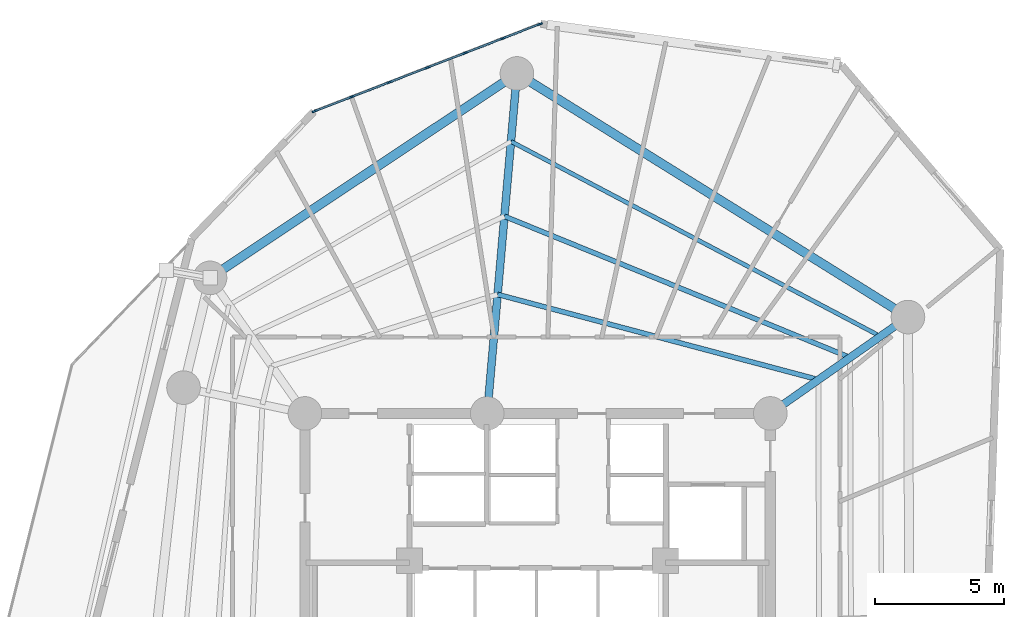
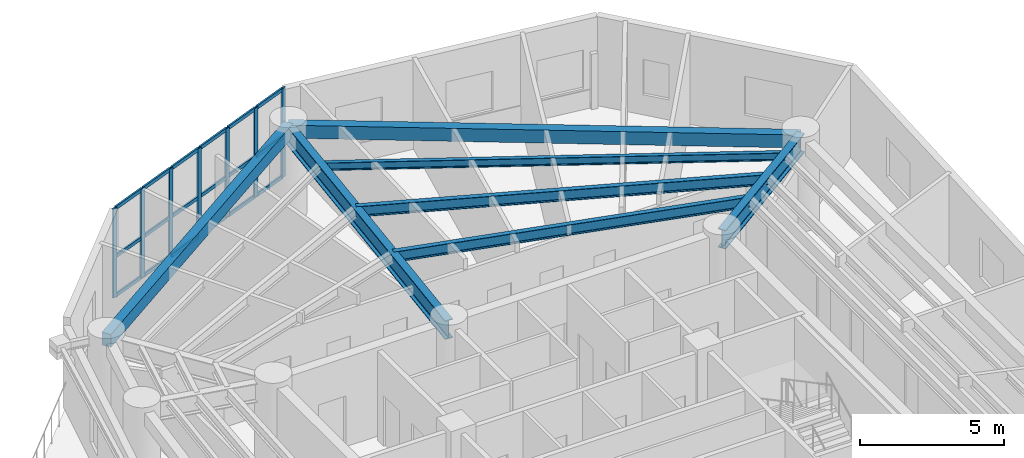
# One storey, part 5 of 14: 25 members, 7 beams, 1 element without a shape of its own.
"""IFC4 building model written with IfcOpenShell, lengths in metres."""

from ifc_helpers import new_model, si_unit, direction, frame, origin, origin_with_axes, origin_2d, place, context, subcontext, project, spatial, rectangle, i_section, extrude, source, transform, mapped, material, layer, layer_set, material_profile, profile_set, type_object, element, aggregate, save


model = new_model("IFC4")

# Units and contexts
model_context = context("Model", 3, precision=1e-05, world=origin(), true_north=direction((0.0, 1.0)))
body_context = subcontext(model_context, "Body", "Model", "MODEL_VIEW")
ifc_project = project(units=[si_unit("LENGTHUNIT", "METRE"), si_unit("AREAUNIT", "SQUARE_METRE"), si_unit("VOLUMEUNIT", "CUBIC_METRE"), si_unit("PLANEANGLEUNIT", "RADIAN"), si_unit("MASSUNIT", "GRAM", prefix="KILO")], contexts=[model_context])

# Site, building, storey
site_placement = place(None, origin())
site = spatial("IfcSite", under=ifc_project, at=site_placement, CompositionType="ELEMENT")
building_placement = place(site_placement, origin())
building = spatial("IfcBuilding", under=site, at=building_placement, Name="Karkom Vertical University and Central Library", CompositionType="ELEMENT")
storey_placement = place(building_placement, frame((0.0, 0.0, 152.550048828125)))
storey = spatial("IfcBuildingStorey", under=building, at=storey_placement, Name="L43", CompositionType="ELEMENT", Elevation=152.550048828125)

# Beams
ifc_material_1 = material(Name="Steel S355", Category="steel")
ifc_material_profile_1 = material_profile(ifc_material_1, i_section(OverallWidth=0.300048828125, OverallDepth=0.800048828125, WebThickness=0.017578125, FlangeThickness=0.032958984375, FilletRadius=0.030029296875, at=origin_2d()), Name="HE 800 B")
ifc_profile_set_1 = profile_set([ifc_material_profile_1], Name="Steel S355")
beam_type_1 = type_object("IfcBeamType", Name="STR-BM-SB-HE800", PredefinedType="USERDEFINED", material=ifc_profile_set_1)
shared_shape_1 = source(origin_with_axes(), body_context, "Body", "SweptSolid", [
    extrude(i_section(OverallWidth=0.300048828125, OverallDepth=0.800048828125, WebThickness=0.017578125, FlangeThickness=0.032958984375, FilletRadius=0.030029296875, at=origin_2d()), origin(), (0.0, 0.0, 1.0), 6.49951171875),
])
beam_1_placement = place(storey_placement, frame((37.5, 34.699951171875, 3.375), z_axis=(0.819141909878, 0.573590909517, 0.0), x_axis=(-0.573590909517, 0.819141909878, 0.0)))
element("IfcBeam", 1, at=beam_1_placement, inside=storey, type_object=beam_type_1, Name="Level 43 Radial Frame Girder 02", ObjectType="GIRDER", PredefinedType="USERDEFINED", context=body_context, shape_type="MappedRepresentation", body=[
    mapped(shared_shape_1, transform((0.0, 0.0, 0.0), scale=1.0)),
])
shared_shape_2 = source(origin_with_axes(), body_context, "Body", "SweptSolid", [
    extrude(i_section(OverallWidth=0.300048828125, OverallDepth=0.800048828125, WebThickness=0.017578125, FlangeThickness=0.032958984375, FilletRadius=0.030029296875, at=origin_2d()), origin(), (0.0, 0.0, 1.0), 13.200439453125),
])
beam_2_placement = place(storey_placement, frame((26.550048828125, 34.699951171875, 3.375), z_axis=(0.087111657164, 0.996198554098, 0.0), x_axis=(-0.996198554098, 0.087111657164, 0.0)))
element("IfcBeam", 2, at=beam_2_placement, inside=storey, type_object=beam_type_1, Name="Level 43 Radial Frame Girder 03", ObjectType="GIRDER", PredefinedType="USERDEFINED", context=body_context, shape_type="MappedRepresentation", body=[
    mapped(shared_shape_2, transform((0.0, 0.0, 0.0), scale=1.0)),
])
ifc_material_2 = material(Name="Precast concrete C45/55", Category="concrete")
ifc_material_profile_2 = material_profile(ifc_material_2, rectangle(XDim=0.35009765625, YDim=0.550048828125, at=origin_2d()), Name="SPB-350x550")
ifc_profile_set_2 = profile_set([ifc_material_profile_2], Name="Precast concrete C45/55")
beam_type_2 = type_object("IfcBeamType", Name="STR-BM-SP-2", PredefinedType="SPANDREL", material=ifc_profile_set_2)
shared_shape_3 = source(origin_with_axes(), body_context, "Body", "SweptSolid", [
    extrude(rectangle(XDim=0.35009765625, YDim=0.550048828125, at=origin_2d()), origin(), (0.0, 0.0, 1.0), 17.81884765625),
])
beam_3_placement = place(storey_placement, frame((42.823974609375, 38.427978515625, 3.5), z_axis=(-0.848764070164, 0.528771740167, 0.0), x_axis=(-0.528771740167, -0.848764070164, 0.0)))
element("IfcBeam", 3, at=beam_3_placement, inside=storey, type_object=beam_type_2, Name="Level 43 Perimeter Spandrel Beam 02", PredefinedType="SPANDREL", context=body_context, shape_type="MappedRepresentation", body=[
    mapped(shared_shape_3, transform((0.0, 0.0, 0.0), scale=1.0)),
])
shared_shape_4 = source(origin_with_axes(), body_context, "Body", "SweptSolid", [
    extrude(rectangle(XDim=0.35009765625, YDim=0.550048828125, at=origin_2d()), origin(), (0.0, 0.0, 1.0), 14.26318359375),
])
beam_4_placement = place(storey_placement, frame((27.699951171875, 47.85009765625, 3.5), z_axis=(-0.83227406272, -0.554364396876, 0.0), x_axis=(0.554364396876, -0.83227406272, 0.0)))
element("IfcBeam", 4, at=beam_4_placement, inside=storey, type_object=beam_type_2, Name="Level 43 Perimeter Spandrel Beam 03", PredefinedType="SPANDREL", context=body_context, shape_type="MappedRepresentation", body=[
    mapped(shared_shape_4, transform((0.0, 0.0, 0.0), scale=1.0)),
])
ifc_material_profile_3 = material_profile(ifc_material_1, i_section(OverallWidth=0.18994140625, OverallDepth=0.449951171875, WebThickness=0.009521484375, FlangeThickness=0.0146484375, FilletRadius=0.02099609375, at=origin_2d()), Name="IPE 450")
ifc_profile_set_3 = profile_set([ifc_material_profile_3], Name="Steel S355")
beam_type_3 = type_object("IfcBeamType", Name="STR-BM-SB-IPE450", PredefinedType="BEAM", material=ifc_profile_set_3)
shared_shape_5 = source(origin_with_axes(), body_context, "Body", "SweptSolid", [
    extrude(i_section(OverallWidth=0.18994140625, OverallDepth=0.449951171875, WebThickness=0.009521484375, FlangeThickness=0.0146484375, FilletRadius=0.02099609375, at=origin_2d()), origin(), (0.0, 0.0, 1.0), 12.841552734375),
])
beam_5_placement = place(storey_placement, frame((39.36328125, 36.0048828125, 3.550048828125), z_axis=(-0.96646647674, 0.256792814032, 0.0), x_axis=(-0.256792814032, -0.96646647674, 0.0)))
element("IfcBeam", 5, at=beam_5_placement, inside=storey, type_object=beam_type_3, Name="Level 43 Secondary Composite Floor Beam 1.02", PredefinedType="BEAM", context=body_context, shape_type="MappedRepresentation", body=[
    mapped(shared_shape_5, transform((0.0, 0.0, 0.0), scale=1.0)),
])
shared_shape_6 = source(origin_with_axes(), body_context, "Body", "SweptSolid", [
    extrude(i_section(OverallWidth=0.18994140625, OverallDepth=0.449951171875, WebThickness=0.009521484375, FlangeThickness=0.0146484375, FilletRadius=0.02099609375, at=origin_2d()), origin(), (0.0, 0.0, 1.0), 14.4443359375),
])
beam_6_placement = place(storey_placement, frame((40.587890625, 36.8623046875, 3.550048828125), z_axis=(-0.925675328736, 0.378318894281, 0.0), x_axis=(-0.378318894281, -0.925675328736, 0.0)))
element("IfcBeam", 6, at=beam_6_placement, inside=storey, type_object=beam_type_3, Name="Level 43 Secondary Composite Floor Beam 2.02", PredefinedType="BEAM", context=body_context, shape_type="MappedRepresentation", body=[
    mapped(shared_shape_6, transform((0.0, 0.0, 0.0), scale=1.0)),
])
ifc_material_profile_4 = material_profile(ifc_material_1, i_section(OverallWidth=0.159912109375, OverallDepth=0.330078125, WebThickness=0.007568359375, FlangeThickness=0.011474609375, FilletRadius=0.01806640625, at=origin_2d()), Name="IPE 330")
ifc_profile_set_4 = profile_set([ifc_material_profile_4], Name="Steel S355")
beam_type_4 = type_object("IfcBeamType", Name="STR-BM-SB-IPE330", PredefinedType="BEAM", material=ifc_profile_set_4)
shared_shape_7 = source(origin_with_axes(), body_context, "Body", "SweptSolid", [
    extrude(i_section(OverallWidth=0.159912109375, OverallDepth=0.330078125, WebThickness=0.007568359375, FlangeThickness=0.011474609375, FilletRadius=0.01806640625, at=origin_2d()), origin(), (0.0, 0.0, 1.0), 16.155517578125),
])
beam_7_placement = place(storey_placement, frame((41.75927734375, 37.682373046875, 3.60986328125), z_axis=(-0.884486447848, 0.466565883423, 0.0), x_axis=(-0.466565883423, -0.884486447848, 0.0)))
element("IfcBeam", 7, at=beam_7_placement, inside=storey, type_object=beam_type_4, Name="Level 43 Secondary Composite Floor Beam 3.02", PredefinedType="BEAM", context=body_context, shape_type="MappedRepresentation", body=[
    mapped(shared_shape_7, transform((0.0, 0.0, 0.0), scale=1.0)),
])

# Curtain wall, members
ifc_material_3 = material(Name="Aluminium curtain-wall framing and low-E IGU", Category="aluminium")
ifc_layer = layer(ifc_material_3, 0.199951171875)
ifc_layer_set = layer_set([ifc_layer], Name="Aluminium curtain-wall framing and low-E IGU")
curtain_wall_type = type_object("IfcCurtainWallType", Name="ENV-CW-5", PredefinedType="USERDEFINED", material=ifc_layer_set)
curtain_wall_placement = place(storey_placement, origin())
curtain_wall = element("IfcCurtainWall", 8, at=curtain_wall_placement, inside=storey, type_object=curtain_wall_type, Name="Level 43 CW-5 Curtain Wall L43-CW5-10", ObjectType="UNITISED GLAZING", PredefinedType="USERDEFINED")
ifc_material_4 = material(Name="Anodised Aluminium 6063-T6", Category="aluminium")
ifc_material_profile_5 = material_profile(ifc_material_4, rectangle(XDim=0.070068359375, YDim=0.199951171875, at=origin_2d()), Name="ALU-M70x200")
ifc_profile_set_5 = profile_set([ifc_material_profile_5], Name="Anodised Aluminium 6063-T6")
member_type_1 = type_object("IfcMemberType", Name="ENV-MEM-ALU-M70x200", PredefinedType="MULLION", material=ifc_profile_set_5)
shared_shape_8 = source(origin_with_axes(), body_context, "Body", "SweptSolid", [
    extrude(rectangle(XDim=0.070068359375, YDim=0.199951171875, at=origin_2d()), origin(), (0.0, 0.0, 1.0), 3.77490234375),
])
member_1_placement = place(storey_placement, frame((28.588623046875, 49.76025390625, 0.0), z_axis=(0.0, 0.0, 1.0), x_axis=(0.360797647829, -0.932644121475, 0.0)))
member_1 = element("IfcMember", 9, at=member_1_placement, type_object=member_type_1, Name="CW-5 mullion 1", PredefinedType="MULLION", context=body_context, shape_type="MappedRepresentation", body=[
    mapped(shared_shape_8, transform((0.0, 0.0, 0.0), scale=1.0)),
])
member_2_placement = place(storey_placement, frame((27.158447265625, 49.206787109375, 0.0), z_axis=(0.0, 0.0, 1.0), x_axis=(0.360797647829, -0.932644121475, 0.0)))
member_2 = element("IfcMember", 10, at=member_2_placement, type_object=member_type_1, Name="CW-5 mullion 2", PredefinedType="MULLION", context=body_context, shape_type="MappedRepresentation", body=[
    mapped(shared_shape_8, transform((0.0, 0.0, 0.0), scale=1.0)),
])
member_3_placement = place(storey_placement, frame((25.695556640625, 48.640869140625, 0.0), z_axis=(0.0, 0.0, 1.0), x_axis=(0.360797647829, -0.932644121475, 0.0)))
member_3 = element("IfcMember", 11, at=member_3_placement, type_object=member_type_1, Name="CW-5 mullion 3", PredefinedType="MULLION", context=body_context, shape_type="MappedRepresentation", body=[
    mapped(shared_shape_8, transform((0.0, 0.0, 0.0), scale=1.0)),
])
member_4_placement = place(storey_placement, frame((24.232666015625, 48.074951171875, 0.0), z_axis=(0.0, 0.0, 1.0), x_axis=(0.360797647829, -0.932644121475, 0.0)))
member_4 = element("IfcMember", 12, at=member_4_placement, type_object=member_type_1, Name="CW-5 mullion 4", PredefinedType="MULLION", context=body_context, shape_type="MappedRepresentation", body=[
    mapped(shared_shape_8, transform((0.0, 0.0, 0.0), scale=1.0)),
])
member_5_placement = place(storey_placement, frame((22.769775390625, 47.509033203125, 0.0), z_axis=(0.0, 0.0, 1.0), x_axis=(0.360797647829, -0.932644121475, 0.0)))
member_5 = element("IfcMember", 13, at=member_5_placement, type_object=member_type_1, Name="CW-5 mullion 5", PredefinedType="MULLION", context=body_context, shape_type="MappedRepresentation", body=[
    mapped(shared_shape_8, transform((0.0, 0.0, 0.0), scale=1.0)),
])
member_6_placement = place(storey_placement, frame((21.306884765625, 46.943115234375, 0.0), z_axis=(0.0, 0.0, 1.0), x_axis=(0.360797647829, -0.932644121475, 0.0)))
member_6 = element("IfcMember", 14, at=member_6_placement, type_object=member_type_1, Name="CW-5 mullion 6", PredefinedType="MULLION", context=body_context, shape_type="MappedRepresentation", body=[
    mapped(shared_shape_8, transform((0.0, 0.0, 0.0), scale=1.0)),
])
member_7_placement = place(storey_placement, frame((19.876708984375, 46.389892578125, 0.0), z_axis=(0.0, 0.0, 1.0), x_axis=(0.360797647829, -0.932644121475, 0.0)))
member_7 = element("IfcMember", 15, at=member_7_placement, type_object=member_type_1, Name="CW-5 mullion 7", PredefinedType="MULLION", context=body_context, shape_type="MappedRepresentation", body=[
    mapped(shared_shape_8, transform((0.0, 0.0, 0.0), scale=1.0)),
])
ifc_material_profile_6 = material_profile(ifc_material_4, rectangle(XDim=0.070068359375, YDim=0.14990234375, at=origin_2d()), Name="ALU-T70x150")
ifc_profile_set_6 = profile_set([ifc_material_profile_6], Name="Anodised Aluminium 6063-T6")
member_type_2 = type_object("IfcMemberType", Name="ENV-MEM-ALU-T70x150", PredefinedType="USERDEFINED", material=ifc_profile_set_6)
shared_shape_9 = source(origin_with_axes(), body_context, "Body", "SweptSolid", [
    extrude(rectangle(XDim=0.070068359375, YDim=0.14990234375, at=origin_2d()), origin(), (0.0, 0.0, 1.0), 1.49853515625),
])
member_8_placement = place(storey_placement, frame((27.125732421875, 49.1943359375, 0.034912109375), z_axis=(-0.932608787876, -0.360888970151, 0.0), x_axis=(0.360888970151, -0.932608787876, 0.0)))
member_8 = element("IfcMember", 16, at=member_8_placement, type_object=member_type_2, Name="CW-5 transom 2.1", ObjectType="TRANSOM", PredefinedType="USERDEFINED", context=body_context, shape_type="MappedRepresentation", body=[
    mapped(shared_shape_9, transform((0.0, 0.0, 0.0), scale=1.0)),
])
member_9_placement = place(storey_placement, frame((27.125732421875, 49.1943359375, 1.69873046875), z_axis=(-0.932608787876, -0.360888970151, 0.0), x_axis=(0.360888970151, -0.932608787876, 0.0)))
member_9 = element("IfcMember", 17, at=member_9_placement, type_object=member_type_2, Name="CW-5 transom 2.2", ObjectType="TRANSOM", PredefinedType="USERDEFINED", context=body_context, shape_type="MappedRepresentation", body=[
    mapped(shared_shape_9, transform((0.0, 0.0, 0.0), scale=1.0)),
])
member_10_placement = place(storey_placement, frame((27.125732421875, 49.1943359375, 3.739990234375), z_axis=(-0.932608787876, -0.360888970151, 0.0), x_axis=(0.360888970151, -0.932608787876, 0.0)))
member_10 = element("IfcMember", 18, at=member_10_placement, type_object=member_type_2, Name="CW-5 transom 2.3", ObjectType="TRANSOM", PredefinedType="USERDEFINED", context=body_context, shape_type="MappedRepresentation", body=[
    mapped(shared_shape_9, transform((0.0, 0.0, 0.0), scale=1.0)),
])
member_11_placement = place(storey_placement, frame((25.662841796875, 48.62841796875, 0.034912109375), z_axis=(-0.932608787876, -0.360888970151, 0.0), x_axis=(0.360888970151, -0.932608787876, 0.0)))
member_11 = element("IfcMember", 19, at=member_11_placement, type_object=member_type_2, Name="CW-5 transom 3.1", ObjectType="TRANSOM", PredefinedType="USERDEFINED", context=body_context, shape_type="MappedRepresentation", body=[
    mapped(shared_shape_9, transform((0.0, 0.0, 0.0), scale=1.0)),
])
member_12_placement = place(storey_placement, frame((25.662841796875, 48.62841796875, 1.69873046875), z_axis=(-0.932608787876, -0.360888970151, 0.0), x_axis=(0.360888970151, -0.932608787876, 0.0)))
member_12 = element("IfcMember", 20, at=member_12_placement, type_object=member_type_2, Name="CW-5 transom 3.2", ObjectType="TRANSOM", PredefinedType="USERDEFINED", context=body_context, shape_type="MappedRepresentation", body=[
    mapped(shared_shape_9, transform((0.0, 0.0, 0.0), scale=1.0)),
])
member_13_placement = place(storey_placement, frame((25.662841796875, 48.62841796875, 3.739990234375), z_axis=(-0.932608787876, -0.360888970151, 0.0), x_axis=(0.360888970151, -0.932608787876, 0.0)))
member_13 = element("IfcMember", 21, at=member_13_placement, type_object=member_type_2, Name="CW-5 transom 3.3", ObjectType="TRANSOM", PredefinedType="USERDEFINED", context=body_context, shape_type="MappedRepresentation", body=[
    mapped(shared_shape_9, transform((0.0, 0.0, 0.0), scale=1.0)),
])
member_14_placement = place(storey_placement, frame((24.199951171875, 48.0625, 0.034912109375), z_axis=(-0.932608787876, -0.360888970151, 0.0), x_axis=(0.360888970151, -0.932608787876, 0.0)))
member_14 = element("IfcMember", 22, at=member_14_placement, type_object=member_type_2, Name="CW-5 transom 4.1", ObjectType="TRANSOM", PredefinedType="USERDEFINED", context=body_context, shape_type="MappedRepresentation", body=[
    mapped(shared_shape_9, transform((0.0, 0.0, 0.0), scale=1.0)),
])
member_15_placement = place(storey_placement, frame((24.199951171875, 48.0625, 1.69873046875), z_axis=(-0.932608787876, -0.360888970151, 0.0), x_axis=(0.360888970151, -0.932608787876, 0.0)))
member_15 = element("IfcMember", 23, at=member_15_placement, type_object=member_type_2, Name="CW-5 transom 4.2", ObjectType="TRANSOM", PredefinedType="USERDEFINED", context=body_context, shape_type="MappedRepresentation", body=[
    mapped(shared_shape_9, transform((0.0, 0.0, 0.0), scale=1.0)),
])
member_16_placement = place(storey_placement, frame((24.199951171875, 48.0625, 3.739990234375), z_axis=(-0.932608787876, -0.360888970151, 0.0), x_axis=(0.360888970151, -0.932608787876, 0.0)))
member_16 = element("IfcMember", 24, at=member_16_placement, type_object=member_type_2, Name="CW-5 transom 4.3", ObjectType="TRANSOM", PredefinedType="USERDEFINED", context=body_context, shape_type="MappedRepresentation", body=[
    mapped(shared_shape_9, transform((0.0, 0.0, 0.0), scale=1.0)),
])
shared_shape_10 = source(origin_with_axes(), body_context, "Body", "SweptSolid", [
    extrude(rectangle(XDim=0.070068359375, YDim=0.14990234375, at=origin_2d()), origin(), (0.0, 0.0, 1.0), 1.463623046875),
])
member_17_placement = place(storey_placement, frame((21.2744140625, 46.9306640625, 0.034912109375), z_axis=(-0.93263872966, -0.360811585093, 0.0), x_axis=(0.360811585093, -0.93263872966, 0.0)))
member_17 = element("IfcMember", 25, at=member_17_placement, type_object=member_type_2, Name="CW-5 transom 6.1", ObjectType="TRANSOM", PredefinedType="USERDEFINED", context=body_context, shape_type="MappedRepresentation", body=[
    mapped(shared_shape_10, transform((0.0, 0.0, 0.0), scale=1.0)),
])
member_18_placement = place(storey_placement, frame((21.2744140625, 46.9306640625, 1.69873046875), z_axis=(-0.93263872966, -0.360811585093, 0.0), x_axis=(0.360811585093, -0.93263872966, 0.0)))
member_18 = element("IfcMember", 26, at=member_18_placement, type_object=member_type_2, Name="CW-5 transom 6.2", ObjectType="TRANSOM", PredefinedType="USERDEFINED", context=body_context, shape_type="MappedRepresentation", body=[
    mapped(shared_shape_10, transform((0.0, 0.0, 0.0), scale=1.0)),
])
member_19_placement = place(storey_placement, frame((21.2744140625, 46.9306640625, 3.739990234375), z_axis=(-0.93263872966, -0.360811585093, 0.0), x_axis=(0.360811585093, -0.93263872966, 0.0)))
member_19 = element("IfcMember", 27, at=member_19_placement, type_object=member_type_2, Name="CW-5 transom 6.3", ObjectType="TRANSOM", PredefinedType="USERDEFINED", context=body_context, shape_type="MappedRepresentation", body=[
    mapped(shared_shape_10, transform((0.0, 0.0, 0.0), scale=1.0)),
])
shared_shape_11 = source(origin_with_axes(), body_context, "Body", "SweptSolid", [
    extrude(rectangle(XDim=0.070068359375, YDim=0.14990234375, at=origin_2d()), origin(), (0.0, 0.0, 1.0), 1.46337890625),
])
member_20_placement = place(storey_placement, frame((28.555908203125, 49.74755859375, 0.034912109375), z_axis=(-0.932617008338, -0.360867726124, 0.0), x_axis=(0.360867726124, -0.932617008338, 0.0)))
member_20 = element("IfcMember", 28, at=member_20_placement, type_object=member_type_2, Name="CW-5 transom 1.1", ObjectType="TRANSOM", PredefinedType="USERDEFINED", context=body_context, shape_type="MappedRepresentation", body=[
    mapped(shared_shape_11, transform((0.0, 0.0, 0.0), scale=1.0)),
])
member_21_placement = place(storey_placement, frame((28.555908203125, 49.74755859375, 1.69873046875), z_axis=(-0.932617008338, -0.360867726124, 0.0), x_axis=(0.360867726124, -0.932617008338, 0.0)))
member_21 = element("IfcMember", 29, at=member_21_placement, type_object=member_type_2, Name="CW-5 transom 1.2", ObjectType="TRANSOM", PredefinedType="USERDEFINED", context=body_context, shape_type="MappedRepresentation", body=[
    mapped(shared_shape_11, transform((0.0, 0.0, 0.0), scale=1.0)),
])
member_22_placement = place(storey_placement, frame((28.555908203125, 49.74755859375, 3.739990234375), z_axis=(-0.932617008338, -0.360867726124, 0.0), x_axis=(0.360867726124, -0.932617008338, 0.0)))
member_22 = element("IfcMember", 30, at=member_22_placement, type_object=member_type_2, Name="CW-5 transom 1.3", ObjectType="TRANSOM", PredefinedType="USERDEFINED", context=body_context, shape_type="MappedRepresentation", body=[
    mapped(shared_shape_11, transform((0.0, 0.0, 0.0), scale=1.0)),
])
shared_shape_12 = source(origin_with_axes(), body_context, "Body", "SweptSolid", [
    extrude(rectangle(XDim=0.070068359375, YDim=0.14990234375, at=origin_2d()), origin(), (0.0, 0.0, 1.0), 1.498779296875),
])
member_23_placement = place(storey_placement, frame((22.7373046875, 47.49658203125, 0.034912109375), z_axis=(-0.932630003124, -0.360834140947, 0.0), x_axis=(0.360834140947, -0.932630003124, 0.0)))
member_23 = element("IfcMember", 31, at=member_23_placement, type_object=member_type_2, Name="CW-5 transom 5.1", ObjectType="TRANSOM", PredefinedType="USERDEFINED", context=body_context, shape_type="MappedRepresentation", body=[
    mapped(shared_shape_12, transform((0.0, 0.0, 0.0), scale=1.0)),
])
member_24_placement = place(storey_placement, frame((22.7373046875, 47.49658203125, 1.69873046875), z_axis=(-0.932630003124, -0.360834140947, 0.0), x_axis=(0.360834140947, -0.932630003124, 0.0)))
member_24 = element("IfcMember", 32, at=member_24_placement, type_object=member_type_2, Name="CW-5 transom 5.2", ObjectType="TRANSOM", PredefinedType="USERDEFINED", context=body_context, shape_type="MappedRepresentation", body=[
    mapped(shared_shape_12, transform((0.0, 0.0, 0.0), scale=1.0)),
])
member_25_placement = place(storey_placement, frame((22.7373046875, 47.49658203125, 3.739990234375), z_axis=(-0.932630003124, -0.360834140947, 0.0), x_axis=(0.360834140947, -0.932630003124, 0.0)))
member_25 = element("IfcMember", 33, at=member_25_placement, type_object=member_type_2, Name="CW-5 transom 5.3", ObjectType="TRANSOM", PredefinedType="USERDEFINED", context=body_context, shape_type="MappedRepresentation", body=[
    mapped(shared_shape_12, transform((0.0, 0.0, 0.0), scale=1.0)),
])
aggregate(curtain_wall, [member_1, member_2, member_3, member_4, member_5, member_6, member_7, member_20, member_21, member_22, member_8, member_9, member_10, member_11, member_12, member_13, member_14, member_15, member_16, member_23, member_24, member_25, member_17, member_18, member_19])

save(model, "model.ifc")
